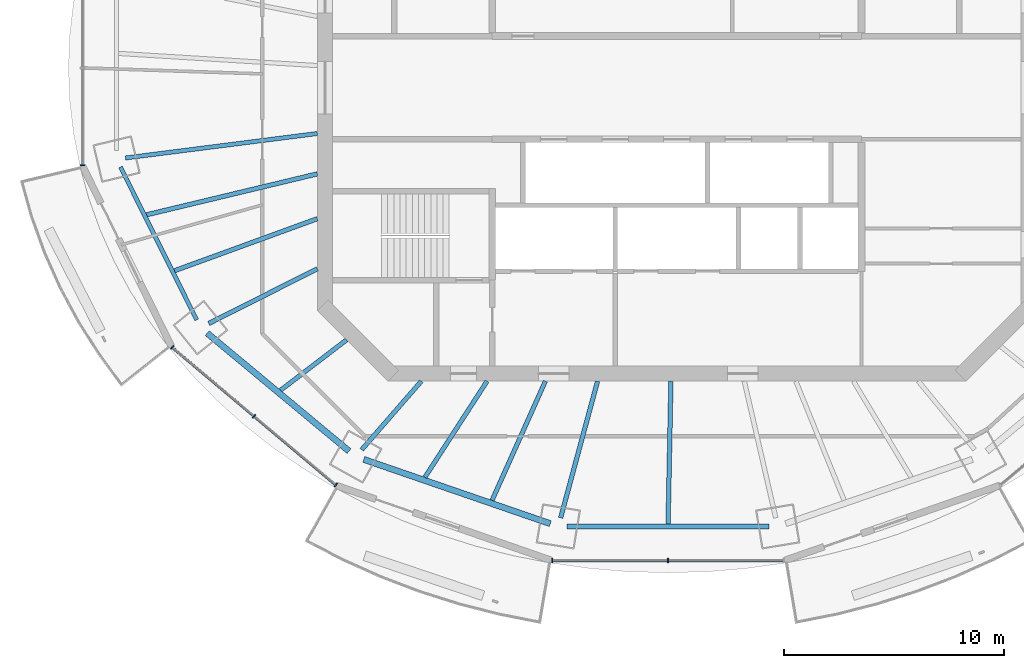
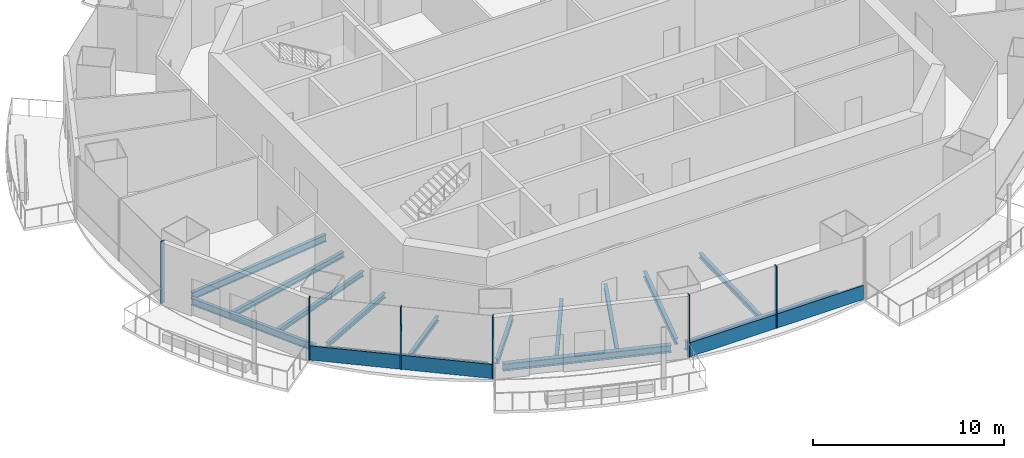
# One storey, part 2 of 16: 14 beams, 8 members, 3 elements without a shape of their own.
"""IFC4 building model written with IfcOpenShell, lengths in metres."""

from ifc_helpers import new_model, si_unit, direction, frame, origin, origin_2d, place, context, subcontext, project, spatial, rectangle, i_section, extrude, material, material_profile, profile_set, type_object, element, aggregate, save


model = new_model("IFC4")

# Units and contexts
model_context = context("Model", 3, precision=1e-05, world=origin(), true_north=direction((0.0, 1.0)))
body_context = subcontext(model_context, "Body", "Model", "MODEL_VIEW")
ifc_project = project(units=[si_unit("LENGTHUNIT", "METRE"), si_unit("AREAUNIT", "SQUARE_METRE"), si_unit("VOLUMEUNIT", "CUBIC_METRE"), si_unit("PLANEANGLEUNIT", "RADIAN"), si_unit("MASSUNIT", "GRAM", prefix="KILO")], contexts=[model_context])

# Site, building, storey
site_placement = place(None, origin())
site = spatial("IfcSite", under=ifc_project, at=site_placement, CompositionType="ELEMENT")
building_placement = place(site_placement, origin())
building = spatial("IfcBuilding", under=site, at=building_placement, Name="Marenthal Gate Tower", CompositionType="ELEMENT")
storey_placement = place(building_placement, frame((0.0, 0.0, 342.60009765625)))
storey = spatial("IfcBuildingStorey", under=building, at=storey_placement, Name="L77", CompositionType="ELEMENT", Elevation=342.60009765625)

# Curtain wall, member
ifc_material_1 = material(Name="Aluminium and glass", Category="aluminium")
curtain_wall_type = type_object("IfcCurtainWallType", Name="Curtain wall typical high", PredefinedType="NOTDEFINED", material=ifc_material_1)
curtain_wall_1_placement = place(storey_placement, origin())
curtain_wall_1 = element("IfcCurtainWall", 1, at=curtain_wall_1_placement, inside=storey, type_object=curtain_wall_type, Name="Curtain wall L77 bay 8", PredefinedType="NOTDEFINED")
ifc_material_2 = material(Name="Aluminium", Category="aluminium")
ifc_material_profile_1 = material_profile(ifc_material_2, rectangle(XDim=0.199951171875, YDim=0.06005859375, at=origin_2d()), Name="60x200 aluminium mullion")
ifc_profile_set_1 = profile_set([ifc_material_profile_1], Name="Aluminium")
member_type_1 = type_object("IfcMemberType", Name="Mullion 60x200 typical high", PredefinedType="MULLION", material=ifc_profile_set_1)
member_1_placement = place(storey_placement, frame((-27.02734375, -3.5263671875, 0.0), z_axis=(0.0, 0.0, 1.0), x_axis=(1.0, 0.0, 0.0)))
member_1 = element("IfcMember", 2, at=member_1_placement, type_object=member_type_1, Name="Mullion L77 bay 8.3", PredefinedType="MULLION", context=body_context, shape_type="SweptSolid", body=[
    extrude(rectangle(XDim=0.199951171875, YDim=0.06005859375, at=origin_2d()), origin(), (0.0, 0.0, 1.0), 3.969970703125),
])
aggregate(curtain_wall_1, [member_1])

# Curtain wall, members
curtain_wall_2_placement = place(storey_placement, origin())
curtain_wall_2 = element("IfcCurtainWall", 3, at=curtain_wall_2_placement, inside=storey, type_object=curtain_wall_type, Name="Curtain wall L77 bay 10", PredefinedType="NOTDEFINED")
member_2_placement = place(storey_placement, frame((-22.95068359375, -11.8095703125, 0.0), z_axis=(0.0, 0.0, 1.0), x_axis=(0.643800653639, 0.765193255572, 0.0)))
member_2 = element("IfcMember", 4, at=member_2_placement, type_object=member_type_1, Name="Mullion L77 bay 10.1", PredefinedType="MULLION", context=body_context, shape_type="SweptSolid", body=[
    extrude(rectangle(XDim=0.199951171875, YDim=0.06005859375, at=origin_2d()), origin(), (0.0, 0.0, 1.0), 3.969970703125),
])
member_3_placement = place(storey_placement, frame((-19.228515625, -14.94140625, 0.0), z_axis=(0.0, 0.0, 1.0), x_axis=(0.643800653639, 0.765193255572, 0.0)))
member_3 = element("IfcMember", 5, at=member_3_placement, type_object=member_type_1, Name="Mullion L77 bay 10.2", PredefinedType="MULLION", context=body_context, shape_type="SweptSolid", body=[
    extrude(rectangle(XDim=0.199951171875, YDim=0.06005859375, at=origin_2d()), origin(), (0.0, 0.0, 1.0), 3.969970703125),
])
member_4_placement = place(storey_placement, frame((-15.506103515625, -18.072998046875, 0.0), z_axis=(0.0, 0.0, 1.0), x_axis=(0.643800653639, 0.765193255572, 0.0)))
member_4 = element("IfcMember", 6, at=member_4_placement, type_object=member_type_1, Name="Mullion L77 bay 10.3", PredefinedType="MULLION", context=body_context, shape_type="SweptSolid", body=[
    extrude(rectangle(XDim=0.199951171875, YDim=0.06005859375, at=origin_2d()), origin(), (0.0, 0.0, 1.0), 3.969970703125),
])

curtain_wall_3_placement = place(storey_placement, origin())
curtain_wall_3 = element("IfcCurtainWall", 7, at=curtain_wall_3_placement, inside=storey, type_object=curtain_wall_type, Name="Curtain wall L77 bay 12", PredefinedType="NOTDEFINED")
member_5_placement = place(storey_placement, frame((-5.66650390625, -21.503173828125, 0.0), z_axis=(0.0, 0.0, 1.0), x_axis=(0.0, 1.0, 0.0)))
member_5 = element("IfcMember", 8, at=member_5_placement, type_object=member_type_1, Name="Mullion L77 bay 12.1", PredefinedType="MULLION", context=body_context, shape_type="SweptSolid", body=[
    extrude(rectangle(XDim=0.199951171875, YDim=0.06005859375, at=origin_2d()), origin(), (0.0, 0.0, 1.0), 3.969970703125),
])
member_6_placement = place(storey_placement, frame((-0.39990234375, -21.503173828125, 0.0), z_axis=(0.0, 0.0, 1.0), x_axis=(0.0, 1.0, 0.0)))
member_6 = element("IfcMember", 9, at=member_6_placement, type_object=member_type_1, Name="Mullion L77 bay 12.2", PredefinedType="MULLION", context=body_context, shape_type="SweptSolid", body=[
    extrude(rectangle(XDim=0.199951171875, YDim=0.06005859375, at=origin_2d()), origin(), (0.0, 0.0, 1.0), 3.969970703125),
])

# Member
ifc_material_3 = material(Name="Aluminium", Category="aluminium")
ifc_material_profile_2 = material_profile(ifc_material_3, rectangle(XDim=0.1201171875, YDim=0.89990234375, at=origin_2d()), Name="120x900 aluminium transom")
ifc_profile_set_2 = profile_set([ifc_material_profile_2], Name="Aluminium")
member_type_2 = type_object("IfcMemberType", Name="Transom 120x900 typical high", PredefinedType="USERDEFINED", material=ifc_profile_set_2)
member_7_placement = place(storey_placement, frame((-22.927734375, -11.828857421875, 0.449951171875), z_axis=(0.765197260539, -0.643795893482, 0.0), x_axis=(0.643795893482, 0.765197260539, 0.0)))
member_7 = element("IfcMember", 10, at=member_7_placement, type_object=member_type_2, Name="Transom L77 bay 10", ObjectType="TRANSOM", PredefinedType="USERDEFINED", context=body_context, shape_type="SweptSolid", body=[
    extrude(rectangle(XDim=0.1201171875, YDim=0.89990234375, at=origin_2d()), origin(), (0.0, 0.0, 1.0), 9.6689453125),
])

aggregate(curtain_wall_2, [member_2, member_3, member_4, member_7])

member_8_placement = place(storey_placement, frame((-5.636474609375, -21.503173828125, 0.449951171875), z_axis=(1.0, 0.0, 0.0), x_axis=(0.0, 1.0, 0.0)))
member_8 = element("IfcMember", 11, at=member_8_placement, type_object=member_type_2, Name="Transom L77 bay 12", ObjectType="TRANSOM", PredefinedType="USERDEFINED", context=body_context, shape_type="SweptSolid", body=[
    extrude(rectangle(XDim=0.1201171875, YDim=0.89990234375, at=origin_2d()), origin(), (0.0, 0.0, 1.0), 10.472900390625),
])

aggregate(curtain_wall_3, [member_5, member_6, member_8])

# Beams
ifc_material_4 = material(Name="Steel S355", Category="steel")
ifc_material_profile_3 = material_profile(ifc_material_4, i_section(OverallWidth=0.202880859375, OverallDepth=0.302001953125, WebThickness=0.007568359375, FlangeThickness=0.01318359375, FilletRadius=0.0126953125, at=origin_2d()), Name="W310X60")
ifc_profile_set_3 = profile_set([ifc_material_profile_3], Name="Steel S355")
beam_type_1 = type_object("IfcBeamType", Name="W310X60 beam", PredefinedType="BEAM", material=ifc_profile_set_3)
beam_1_placement = place(storey_placement, frame((-18.018798828125, -13.7587890625, -0.3310546875), z_axis=(0.79476951827, 0.606911371478, 0.0), x_axis=(-0.606911371478, 0.79476951827, 0.0)))
element("IfcBeam", 12, at=beam_1_placement, inside=storey, type_object=beam_type_1, Name="BM-L77-31", PredefinedType="BEAM", context=body_context, shape_type="SweptSolid", body=[
    extrude(i_section(OverallWidth=0.202880859375, OverallDepth=0.302001953125, WebThickness=0.007568359375, FlangeThickness=0.01318359375, FilletRadius=0.0126953125, at=origin_2d()), origin(), (0.0, 0.0, 1.0), 3.768798828125),
])
beam_2_placement = place(storey_placement, frame((-11.455078125, -17.71630859375, -0.3310546875), z_axis=(0.542986471311, 0.839741443525, 0.0), x_axis=(-0.839741443525, 0.542986471311, 0.0)))
element("IfcBeam", 13, at=beam_2_placement, inside=storey, type_object=beam_type_1, Name="BM-L77-32", PredefinedType="BEAM", context=body_context, shape_type="SweptSolid", body=[
    extrude(i_section(OverallWidth=0.202880859375, OverallDepth=0.302001953125, WebThickness=0.007568359375, FlangeThickness=0.01318359375, FilletRadius=0.0126953125, at=origin_2d()), origin(), (0.0, 0.0, 1.0), 5.199462890625),
])
beam_3_placement = place(storey_placement, frame((-8.4033203125, -18.767333984375, -0.3310546875), z_axis=(0.408651950458, 0.912690299821, 0.0), x_axis=(-0.912690299821, 0.408651950458, 0.0)))
element("IfcBeam", 14, at=beam_3_placement, inside=storey, type_object=beam_type_1, Name="BM-L77-33", PredefinedType="BEAM", context=body_context, shape_type="SweptSolid", body=[
    extrude(i_section(OverallWidth=0.202880859375, OverallDepth=0.302001953125, WebThickness=0.007568359375, FlangeThickness=0.01318359375, FilletRadius=0.0126953125, at=origin_2d()), origin(), (0.0, 0.0, 1.0), 5.935546875),
])
ifc_material_5 = material(Name="Steel S355", Category="steel")
ifc_material_profile_4 = material_profile(ifc_material_5, i_section(OverallWidth=0.205078125, OverallDepth=0.31005859375, WebThickness=0.009521484375, FlangeThickness=0.016357421875, FilletRadius=0.0126953125, at=origin_2d()), Name="W310X74")
ifc_profile_set_4 = profile_set([ifc_material_profile_4], Name="Steel S355")
beam_type_2 = type_object("IfcBeamType", Name="W310X74 beam", PredefinedType="BEAM", material=ifc_profile_set_4)
beam_4_placement = place(storey_placement, frame((-21.284423828125, -10.723388671875, -0.335205078125), z_axis=(0.893053214165, 0.449951060306, 0.0), x_axis=(-0.449951060306, 0.893053214165, 0.0)))
element("IfcBeam", 15, at=beam_4_placement, inside=storey, type_object=beam_type_2, Name="BM-L77-10", PredefinedType="BEAM", context=body_context, shape_type="SweptSolid", body=[
    extrude(i_section(OverallWidth=0.205078125, OverallDepth=0.31005859375, WebThickness=0.009521484375, FlangeThickness=0.016357421875, FilletRadius=0.0126953125, at=origin_2d()), origin(), (0.0, 0.0, 1.0), 5.525146484375),
])
beam_5_placement = place(storey_placement, frame((-14.32958984375, -16.4619140625, -0.335205078125), z_axis=(0.65656687646, 0.754267814994, 0.0), x_axis=(-0.754267814994, 0.65656687646, 0.0)))
element("IfcBeam", 16, at=beam_5_placement, inside=storey, type_object=beam_type_2, Name="BM-L77-11", PredefinedType="BEAM", context=body_context, shape_type="SweptSolid", body=[
    extrude(i_section(OverallWidth=0.205078125, OverallDepth=0.31005859375, WebThickness=0.009521484375, FlangeThickness=0.016357421875, FilletRadius=0.0126953125, at=origin_2d()), origin(), (0.0, 0.0, 1.0), 4.125732421875),
])
beam_6_placement = place(storey_placement, frame((-22.842041015625, -8.32470703125, -0.335205078125), z_axis=(0.939548686615, 0.342415340603, 0.0), x_axis=(-0.342415340603, 0.939548686615, 0.0)))
element("IfcBeam", 17, at=beam_6_placement, inside=storey, type_object=beam_type_2, Name="BM-L77-30", PredefinedType="BEAM", context=body_context, shape_type="SweptSolid", body=[
    extrude(i_section(OverallWidth=0.205078125, OverallDepth=0.31005859375, WebThickness=0.009521484375, FlangeThickness=0.016357421875, FilletRadius=0.0126953125, at=origin_2d()), origin(), (0.0, 0.0, 1.0), 6.90966796875),
])
beam_7_placement = place(storey_placement, frame((-0.39794921875, -19.847412109375, -0.335205078125), z_axis=(0.020061343442, 0.999798750999, 0.0), x_axis=(-0.999798750999, 0.020061343442, 0.0)))
element("IfcBeam", 18, at=beam_7_placement, inside=storey, type_object=beam_type_2, Name="BM-L77-34", PredefinedType="BEAM", context=body_context, shape_type="SweptSolid", body=[
    extrude(i_section(OverallWidth=0.205078125, OverallDepth=0.31005859375, WebThickness=0.009521484375, FlangeThickness=0.016357421875, FilletRadius=0.0126953125, at=origin_2d()), origin(), (0.0, 0.0, 1.0), 6.49853515625),
])
ifc_material_6 = material(Name="Steel S355", Category="steel")
ifc_material_profile_5 = material_profile(ifc_material_6, i_section(OverallWidth=0.205078125, OverallDepth=0.35302734375, WebThickness=0.009521484375, FlangeThickness=0.016845703125, FilletRadius=0.014892578125, at=origin_2d()), Name="W360X79")
ifc_profile_set_5 = profile_set([ifc_material_profile_5], Name="Steel S355")
beam_type_3 = type_object("IfcBeamType", Name="W360X79 beam", PredefinedType="BEAM", material=ifc_profile_set_5)
beam_8_placement = place(storey_placement, frame((-5.282958984375, -19.56298828125, -0.356689453125), z_axis=(0.260737983714, 0.965409604183, 0.0), x_axis=(-0.965409604183, 0.260737983714, 0.0)))
element("IfcBeam", 19, at=beam_8_placement, inside=storey, type_object=beam_type_3, Name="BM-L77-12", PredefinedType="BEAM", context=body_context, shape_type="SweptSolid", body=[
    extrude(i_section(OverallWidth=0.205078125, OverallDepth=0.35302734375, WebThickness=0.009521484375, FlangeThickness=0.016845703125, FilletRadius=0.014892578125, at=origin_2d()), origin(), (0.0, 0.0, 1.0), 6.435546875),
])
beam_9_placement = place(storey_placement, frame((-24.109619140625, -5.780029296875, -0.356689453125), z_axis=(0.972442265011, 0.233143820891, 0.0), x_axis=(-0.233143820891, 0.972442265011, 0.0)))
element("IfcBeam", 20, at=beam_9_placement, inside=storey, type_object=beam_type_3, Name="BM-L77-29", PredefinedType="BEAM", context=body_context, shape_type="SweptSolid", body=[
    extrude(i_section(OverallWidth=0.205078125, OverallDepth=0.35302734375, WebThickness=0.009521484375, FlangeThickness=0.016845703125, FilletRadius=0.014892578125, at=origin_2d()), origin(), (0.0, 0.0, 1.0), 7.9794921875),
])
ifc_material_7 = material(Name="Steel S355", Category="steel")
ifc_material_profile_6 = material_profile(ifc_material_7, i_section(OverallWidth=0.279052734375, OverallDepth=0.4619140625, WebThickness=0.0107421875, FlangeThickness=0.017333984375, FilletRadius=0.010009765625, at=origin_2d()), Name="W460X113")
ifc_profile_set_6 = profile_set([ifc_material_profile_6], Name="Steel S355")
beam_type_4 = type_object("IfcBeamType", Name="W460X113 beam", PredefinedType="BEAM", material=ifc_profile_set_6)
beam_10_placement = place(storey_placement, frame((-21.357666015625, -11.163818359375, -0.4111328125), z_axis=(0.768898121521, -0.639371315217, 0.0), x_axis=(0.639371315217, 0.768898121521, 0.0)))
element("IfcBeam", 21, at=beam_10_placement, inside=storey, type_object=beam_type_4, Name="BM-L77-50", PredefinedType="BEAM", context=body_context, shape_type="SweptSolid", body=[
    extrude(i_section(OverallWidth=0.279052734375, OverallDepth=0.4619140625, WebThickness=0.0107421875, FlangeThickness=0.017333984375, FilletRadius=0.010009765625, at=origin_2d()), origin(), (0.0, 0.0, 1.0), 8.391357421875),
])
beam_11_placement = place(storey_placement, frame((-14.23779296875, -16.9052734375, -0.4111328125), z_axis=(0.945479632751, -0.325681230736, 0.0), x_axis=(0.325681230736, 0.945479632751, 0.0)))
element("IfcBeam", 22, at=beam_11_placement, inside=storey, type_object=beam_type_4, Name="BM-L77-51", PredefinedType="BEAM", context=body_context, shape_type="SweptSolid", body=[
    extrude(i_section(OverallWidth=0.279052734375, OverallDepth=0.4619140625, WebThickness=0.0107421875, FlangeThickness=0.017333984375, FilletRadius=0.010009765625, at=origin_2d()), origin(), (0.0, 0.0, 1.0), 8.972412109375),
])
ifc_material_8 = material(Name="Steel S355", Category="steel")
ifc_material_profile_7 = material_profile(ifc_material_8, i_section(OverallWidth=0.19091796875, OverallDepth=0.45703125, WebThickness=0.009033203125, FlangeThickness=0.014404296875, FilletRadius=0.01025390625, at=origin_2d()), Name="W460X74")
ifc_profile_set_7 = profile_set([ifc_material_profile_7], Name="Steel S355")
beam_type_5 = type_object("IfcBeamType", Name="W460X74 beam", PredefinedType="BEAM", material=ifc_profile_set_7)
beam_12_placement = place(storey_placement, frame((-25.30029296875, -3.604248046875, -0.40869140625), z_axis=(0.445880705054, -0.895092395712, 0.0), x_axis=(0.895092395712, 0.445880705054, 0.0)))
element("IfcBeam", 23, at=beam_12_placement, inside=storey, type_object=beam_type_5, Name="BM-L77-49", PredefinedType="BEAM", context=body_context, shape_type="SweptSolid", body=[
    extrude(i_section(OverallWidth=0.19091796875, OverallDepth=0.45703125, WebThickness=0.009033203125, FlangeThickness=0.014404296875, FilletRadius=0.01025390625, at=origin_2d()), origin(), (0.0, 0.0, 1.0), 7.76904296875),
])
ifc_material_9 = material(Name="Steel S355", Category="steel")
ifc_material_profile_8 = material_profile(ifc_material_9, i_section(OverallWidth=0.193115234375, OverallDepth=0.467041015625, WebThickness=0.011474609375, FlangeThickness=0.01904296875, FilletRadius=0.010009765625, at=origin_2d()), Name="W460X97")
ifc_profile_set_8 = profile_set([ifc_material_profile_8], Name="Steel S355")
beam_type_6 = type_object("IfcBeamType", Name="W460X97 beam", PredefinedType="BEAM", material=ifc_profile_set_8)
beam_13_placement = place(storey_placement, frame((-25.07568359375, -3.19677734375, -0.41357421875), z_axis=(0.991972610542, 0.126452915882, 0.0), x_axis=(-0.126452915882, 0.991972610542, 0.0)))
element("IfcBeam", 24, at=beam_13_placement, inside=storey, type_object=beam_type_6, Name="BM-L77-09", PredefinedType="BEAM", context=body_context, shape_type="SweptSolid", body=[
    extrude(i_section(OverallWidth=0.193115234375, OverallDepth=0.467041015625, WebThickness=0.011474609375, FlangeThickness=0.01904296875, FilletRadius=0.010009765625, at=origin_2d()), origin(), (0.0, 0.0, 1.0), 8.796142578125),
])
ifc_material_10 = material(Name="Steel S355", Category="steel")
ifc_material_profile_9 = material_profile(ifc_material_10, i_section(OverallWidth=0.2119140625, OverallDepth=0.5439453125, WebThickness=0.01318359375, FlangeThickness=0.021240234375, FilletRadius=0.0126953125, at=origin_2d()), Name="W530X123")
ifc_profile_set_9 = profile_set([ifc_material_profile_9], Name="Steel S355")
beam_type_7 = type_object("IfcBeamType", Name="W530X123 beam", PredefinedType="BEAM", material=ifc_profile_set_9)
beam_14_placement = place(storey_placement, frame((-5.00146484375, -19.95361328125, -0.4521484375), z_axis=(1.0, 0.0, 0.0), x_axis=(0.0, 1.0, 0.0)))
element("IfcBeam", 25, at=beam_14_placement, inside=storey, type_object=beam_type_7, Name="BM-L77-52", PredefinedType="BEAM", context=body_context, shape_type="SweptSolid", body=[
    extrude(i_section(OverallWidth=0.2119140625, OverallDepth=0.5439453125, WebThickness=0.01318359375, FlangeThickness=0.021240234375, FilletRadius=0.0126953125, at=origin_2d()), origin(), (0.0, 0.0, 1.0), 9.202880859375),
])

save(model, "model.ifc")
